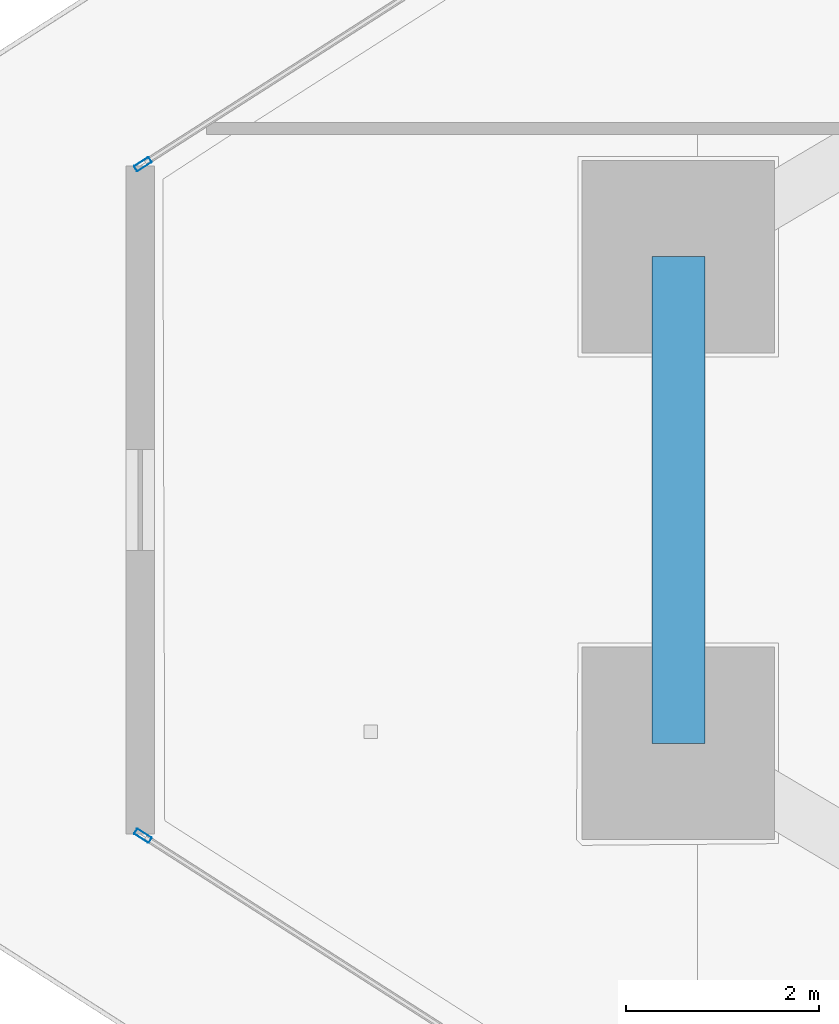
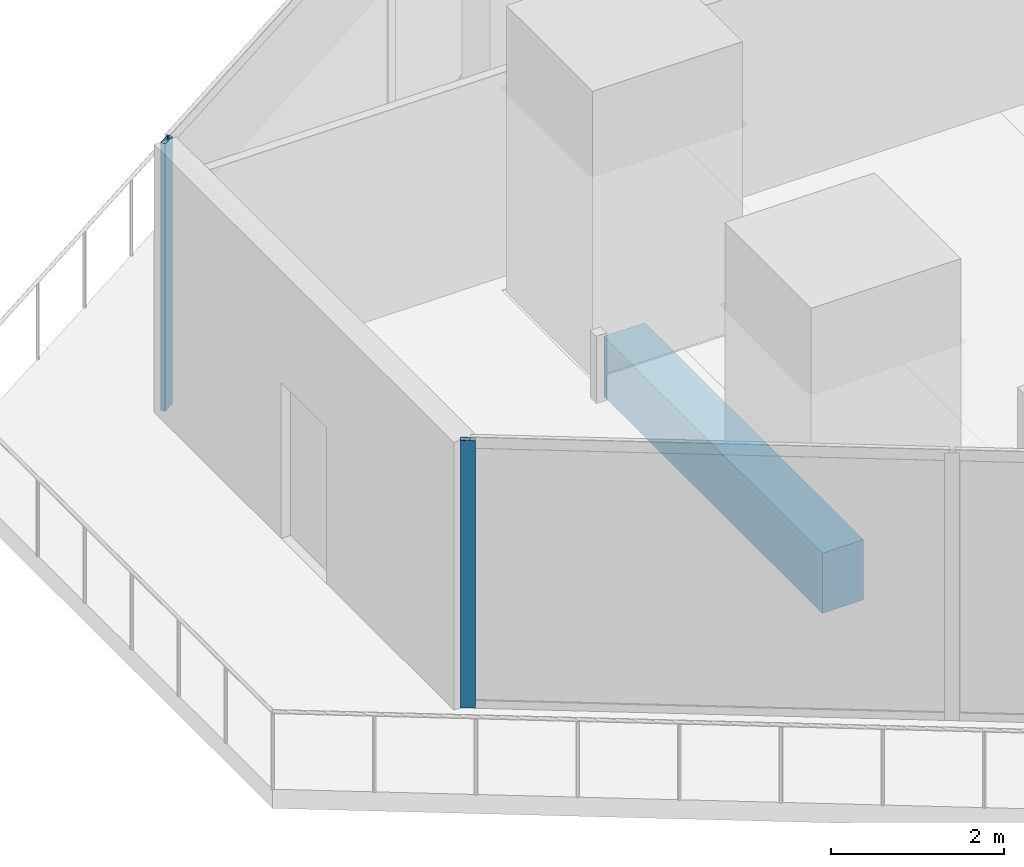
# One storey, part 7 of 36: 2 members, 1 beam, 2 elements without a shape of their own.
"""IFC4 building model written with IfcOpenShell, lengths in metres."""

from ifc_helpers import new_model, si_unit, direction, frame, origin, origin_2d, place, context, subcontext, project, spatial, rectangle, hollow_rectangle, extrude, material, layer, layer_set, material_profile, profile_set, type_object, element, aggregate, save


model = new_model("IFC4")

# Units and contexts
model_context = context("Model", 3, precision=1e-05, world=origin(), true_north=direction((0.0, 1.0)))
body_context = subcontext(model_context, "Body", "Model", "MODEL_VIEW")
ifc_project = project(units=[si_unit("LENGTHUNIT", "METRE"), si_unit("AREAUNIT", "SQUARE_METRE"), si_unit("VOLUMEUNIT", "CUBIC_METRE"), si_unit("PLANEANGLEUNIT", "RADIAN"), si_unit("MASSUNIT", "GRAM", prefix="KILO")], contexts=[model_context])

# Site, building, storey
site_placement = place(None, origin())
site = spatial("IfcSite", under=ifc_project, at=site_placement, CompositionType="ELEMENT")
building_placement = place(site_placement, origin())
building = spatial("IfcBuilding", under=site, at=building_placement, Name="Qorvath Tower", CompositionType="ELEMENT")
storey_placement = place(building_placement, frame((0.0, 0.0, 205.050048828125)))
storey = spatial("IfcBuildingStorey", under=building, at=storey_placement, Name="L47", CompositionType="ELEMENT", Elevation=205.050048828125)

# Beam
ifc_material_1 = material(Name="Concrete C50/60", Category="concrete")
ifc_material_profile_1 = material_profile(ifc_material_1, rectangle(XDim=0.550048828125, YDim=0.85009765625, at=origin_2d()), Name="RCB 850x550")
ifc_profile_set_1 = profile_set([ifc_material_profile_1], Name="Concrete C50/60")
beam_type = type_object("IfcBeamType", Name="BM-RCB2", PredefinedType="SPANDREL", material=ifc_profile_set_1)
beam_placement = place(storey_placement, frame((-49.171875, 2.52783203125, -0.695068359375), z_axis=(0.0, -1.0, 0.0), x_axis=(1.0, 0.0, 0.0)))
element("IfcBeam", 1, at=beam_placement, inside=storey, type_object=beam_type, Name="Perimeter Loggia Frame Beam MC1-MC2 L47", PredefinedType="SPANDREL", context=body_context, shape_type="SweptSolid", body=[
    extrude(rectangle(XDim=0.550048828125, YDim=0.85009765625, at=origin_2d()), origin(), (0.0, 0.0, 1.0), 5.0556640625),
])

# Curtain wall, member
ifc_material_2 = material(Name="Anodised aluminium and triple low-E glass", Category="aluminium")
ifc_layer = layer(ifc_material_2, 0.179931640625)
ifc_layer_set = layer_set([ifc_layer], Name="CW-SYS-3")
curtain_wall_type = type_object("IfcCurtainWallType", Name="CW-SYS-3", PredefinedType="NOTDEFINED", material=ifc_layer_set)
curtain_wall_1_placement = place(storey_placement, origin())
curtain_wall_1 = element("IfcCurtainWall", 2, at=curtain_wall_1_placement, inside=storey, type_object=curtain_wall_type, Name="Curtain Wall CW-3 CW-T-L47-2.1", PredefinedType="NOTDEFINED")
ifc_material_3 = material(Name="Anodised aluminium 6063-T6", Category="aluminium")
ifc_material_profile_2 = material_profile(ifc_material_3, hollow_rectangle(XDim=0.06494140625, YDim=0.179931640625, WallThickness=0.00341796875, InnerFilletRadius=0.00341796875, OuterFilletRadius=0.007080078125, at=origin_2d()), Name="CWM 180x65")
ifc_profile_set_2 = profile_set([ifc_material_profile_2], Name="Anodised aluminium 6063-T6")
member_type = type_object("IfcMemberType", Name="CWM-180", PredefinedType="MULLION", material=ifc_profile_set_2)
member_1_placement = place(storey_placement, frame((-54.7353515625, -3.489013671875, 0.0), z_axis=(0.0, 0.0, 1.0), x_axis=(0.538533623725, 0.842604020948, 0.0)))
member_1 = element("IfcMember", 3, at=member_1_placement, type_object=member_type, Name="CW-3 mullion 1", PredefinedType="MULLION", context=body_context, shape_type="SweptSolid", body=[
    extrude(hollow_rectangle(XDim=0.06494140625, YDim=0.179931640625, WallThickness=0.00341796875, InnerFilletRadius=0.00341796875, OuterFilletRadius=0.007080078125, at=origin_2d()), origin(), (0.0, 0.0, 1.0), 3.780029296875),
])
aggregate(curtain_wall_1, [member_1])

curtain_wall_2_placement = place(storey_placement, origin())
curtain_wall_2 = element("IfcCurtainWall", 4, at=curtain_wall_2_placement, inside=storey, type_object=curtain_wall_type, Name="Curtain Wall CW-3 CW-T-L47-16.1", PredefinedType="NOTDEFINED")
member_2_placement = place(storey_placement, frame((-54.7353515625, 3.489013671875, 0.0), z_axis=(0.0, 0.0, 1.0), x_axis=(0.538533623725, -0.842604020948, 0.0)))
member_2 = element("IfcMember", 5, at=member_2_placement, type_object=member_type, Name="CW-3 mullion 9", PredefinedType="MULLION", context=body_context, shape_type="SweptSolid", body=[
    extrude(hollow_rectangle(XDim=0.06494140625, YDim=0.179931640625, WallThickness=0.00341796875, InnerFilletRadius=0.00341796875, OuterFilletRadius=0.007080078125, at=origin_2d()), origin(), (0.0, 0.0, 1.0), 3.780029296875),
])
aggregate(curtain_wall_2, [member_2])

save(model, "model.ifc")
